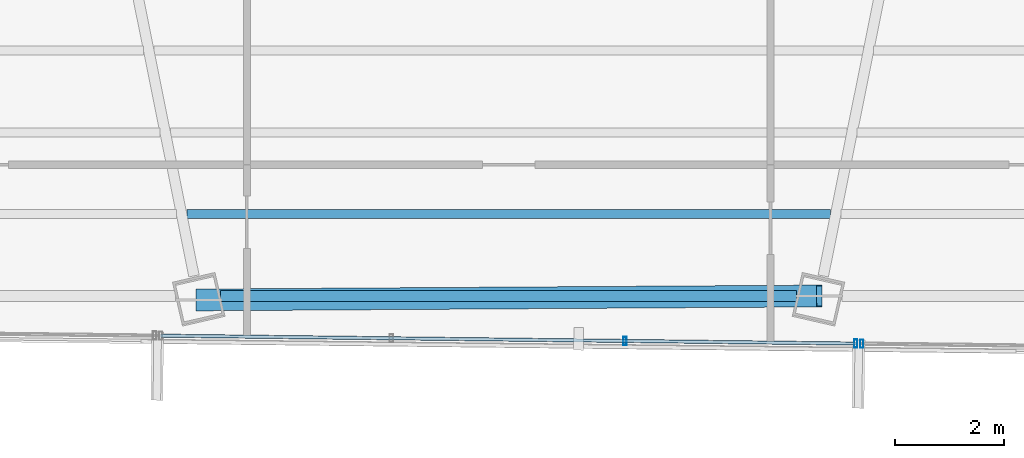
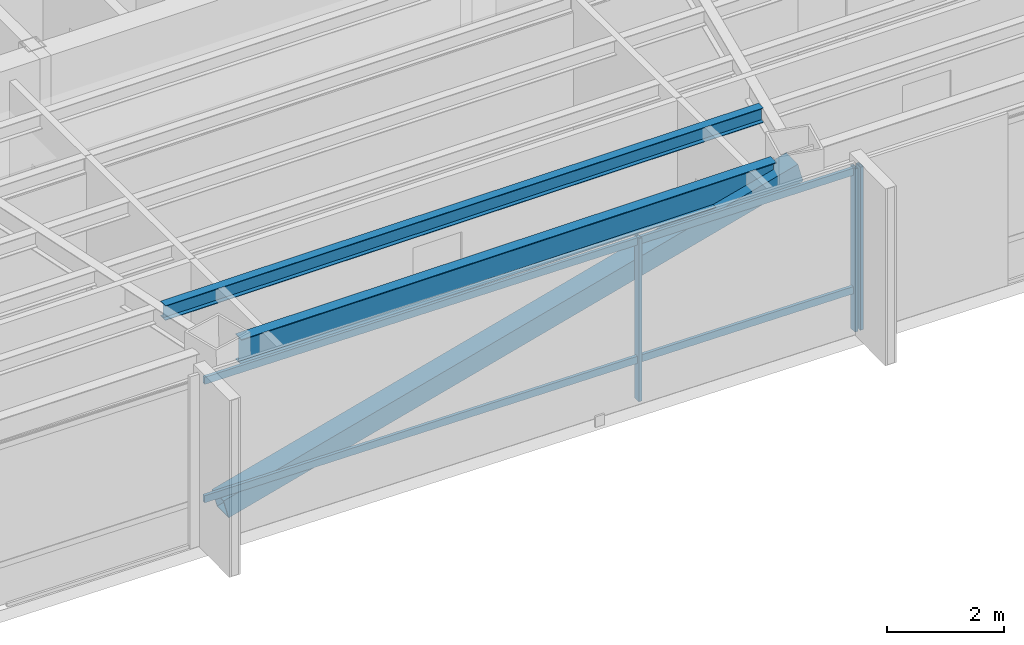
# One storey, part 10 of 42: 6 members, 2 beams, 2 elements without a shape of their own.
"""IFC4 building model written with IfcOpenShell, lengths in metres."""

from ifc_helpers import new_model, si_unit, direction, frame, origin, origin_2d, place, context, subcontext, project, spatial, hollow_rectangle, i_section, extrude, source, transform, mapped, material, material_profile, profile_set, type_object, type_shapes, element, aggregate, save


model = new_model("IFC4")

# Units and contexts
model_context = context("Model", 3, precision=1e-05, world=origin(), true_north=direction((0.0, 1.0)))
body_context = subcontext(model_context, "Body", "Model", "MODEL_VIEW")
ifc_project = project(units=[si_unit("LENGTHUNIT", "METRE"), si_unit("AREAUNIT", "SQUARE_METRE"), si_unit("VOLUMEUNIT", "CUBIC_METRE"), si_unit("PLANEANGLEUNIT", "RADIAN"), si_unit("MASSUNIT", "GRAM", prefix="KILO")], contexts=[model_context])

# Site, building, storey
site_placement = place(None, origin())
site = spatial("IfcSite", under=ifc_project, at=site_placement, CompositionType="ELEMENT")
building_placement = place(site_placement, origin())
building = spatial("IfcBuilding", under=site, at=building_placement, Name="Caelisora Broadcast Tower", CompositionType="ELEMENT")
storey_placement = place(building_placement, frame((0.0, 0.0, 205.949951171875)))
storey = spatial("IfcBuildingStorey", under=building, at=storey_placement, Name="L54", CompositionType="ELEMENT", Elevation=205.949951171875)

# Beams
ifc_material_1 = material(Name="Steel Grade 350 (AS/NZS 3679.1)", Category="steel")
ifc_material_profile_1 = material_profile(ifc_material_1, i_section(OverallWidth=0.208984375, OverallDepth=0.532958984375, WebThickness=0.01025390625, FlangeThickness=0.015625, at=origin_2d()), Name="Steel Grade 350 (AS/NZS 3679.1)")
ifc_profile_set_1 = profile_set([ifc_material_profile_1], Name="Steel Grade 350 (AS/NZS 3679.1)")
beam_type_1 = type_object("IfcBeamType", Name="PG05", PredefinedType="BEAM", material=ifc_profile_set_1)
shared_shape_1 = source(origin(), body_context, "Body", "SweptSolid", [
    extrude(i_section(OverallWidth=0.208984375, OverallDepth=0.532958984375, WebThickness=0.01025390625, FlangeThickness=0.015625, at=origin_2d()), origin(), (0.0, 0.0, 1.0), 10.55712890625),
])
type_shapes(beam_type_1, [shared_shape_1])
beam_1_placement = place(storey_placement, frame((32.721435546875, 8.40478515625, 3.133544921875), z_axis=(1.0, 0.0, 0.0), x_axis=(0.0, 1.0, 0.0)))
element("IfcBeam", 1, at=beam_1_placement, inside=storey, type_object=beam_type_1, Name="L54 beam PG05", PredefinedType="BEAM", context=body_context, shape_type="MappedRepresentation", body=[
    mapped(shared_shape_1, transform((0.0, 0.0, 0.0), scale=1.0)),
])
ifc_material_profile_2 = material_profile(ifc_material_1, i_section(OverallWidth=0.166015625, OverallDepth=0.30712890625, WebThickness=0.006591796875, FlangeThickness=0.01171875, at=origin_2d()), Name="Steel Grade 350 (AS/NZS 3679.1)")
ifc_profile_set_2 = profile_set([ifc_material_profile_2], Name="Steel Grade 350 (AS/NZS 3679.1)")
beam_type_2 = type_object("IfcBeamType", Name="SB03", PredefinedType="JOIST", material=ifc_profile_set_2)
shared_shape_2 = source(origin(), body_context, "Body", "SweptSolid", [
    extrude(i_section(OverallWidth=0.166015625, OverallDepth=0.30712890625, WebThickness=0.006591796875, FlangeThickness=0.01171875, at=origin_2d()), origin(), (0.0, 0.0, 1.0), 11.8017578125),
])
type_shapes(beam_type_2, [shared_shape_2])
beam_2_placement = place(storey_placement, frame((32.09912109375, 9.904052734375, 3.246337890625), z_axis=(1.0, 0.0, 0.0), x_axis=(0.0, 1.0, 0.0)))
element("IfcBeam", 2, at=beam_2_placement, inside=storey, type_object=beam_type_2, Name="L54 beam SB03", PredefinedType="JOIST", context=body_context, shape_type="MappedRepresentation", body=[
    mapped(shared_shape_2, transform((0.0, 0.0, 0.0), scale=1.0)),
])

# Member
ifc_material_2 = material(Name="Steel Grade 450 (AS/NZS 1163 C450L0)", Category="steel")
ifc_material_profile_3 = material_profile(ifc_material_2, hollow_rectangle(XDim=0.39990234375, YDim=0.39990234375, WallThickness=0.01611328125, at=origin_2d()), Name="Steel Grade 450 (AS/NZS 1163 C450L0)")
ifc_profile_set_3 = profile_set([ifc_material_profile_3], Name="Steel Grade 450 (AS/NZS 1163 C450L0)")
member_type_1 = type_object("IfcMemberType", Name="BR04", PredefinedType="BRACE", material=ifc_profile_set_3)
shared_shape_3 = source(origin(), body_context, "Body", "SweptSolid", [
    extrude(hollow_rectangle(XDim=0.39990234375, YDim=0.39990234375, WallThickness=0.01611328125, at=origin_2d()), origin(), (0.0, 0.0, 1.0), 11.76171875),
])
type_shapes(member_type_1, [shared_shape_3])
member_1_placement = place(storey_placement, frame((32.322021484375, 8.33251953125, 0.10009765625), z_axis=(0.966905006139, 0.006144087455, 0.255062657581), x_axis=(-0.006354257529, 0.999979811502, 0.0)))
element("IfcMember", 3, at=member_1_placement, inside=storey, type_object=member_type_1, Name="L54 perimeter brace BR04", PredefinedType="BRACE", context=body_context, shape_type="MappedRepresentation", body=[
    mapped(shared_shape_3, transform((0.0, 0.0, 0.0), scale=1.0)),
])

# Curtain wall, member
ifc_material_3 = material(Name="Unitised Aluminium and Low-E Glass Curtain Wall", Category="glass")
curtain_wall_type_1 = type_object("IfcCurtainWallType", Name="CW-Z4", PredefinedType="NOTDEFINED", material=ifc_material_3)
curtain_wall_1_placement = place(storey_placement, origin())
curtain_wall_1 = element("IfcCurtainWall", 4, at=curtain_wall_1_placement, inside=storey, type_object=curtain_wall_type_1, Name="L54 curtain wall CW-Z4", PredefinedType="NOTDEFINED")
ifc_material_4 = material(Name="Aluminium 6063-T6 Anodised Terracotta Bronze", Category="aluminium")
ifc_material_profile_4 = material_profile(ifc_material_4, hollow_rectangle(XDim=0.06005859375, YDim=0.14990234375, WallThickness=0.00341796875, at=origin_2d()), Name="Aluminium 6063-T6 Anodised Terracotta Bronze")
ifc_profile_set_4 = profile_set([ifc_material_profile_4], Name="Aluminium 6063-T6 Anodised Terracotta Bronze")
member_type_2 = type_object("IfcMemberType", Name="CWM-03", PredefinedType="MULLION", material=ifc_profile_set_4)
shared_shape_4 = source(origin(), body_context, "Body", "SweptSolid", [
    extrude(hollow_rectangle(XDim=0.06005859375, YDim=0.14990234375, WallThickness=0.00341796875, at=origin_2d()), origin(), (0.0, 0.0, 1.0), 3.400146484375),
])
type_shapes(member_type_2, [shared_shape_4])
member_2_placement = place(storey_placement, frame((44.47412109375, 7.531494140625, 0.0), z_axis=(0.0, 0.0, 1.0), x_axis=(1.0, 0.0, 0.0)))
member_2 = element("IfcMember", 5, at=member_2_placement, type_object=member_type_2, Name="L54-CW-B05 mullion #3", PredefinedType="MULLION", context=body_context, shape_type="MappedRepresentation", body=[
    mapped(shared_shape_4, transform((0.0, 0.0, 0.0), scale=1.0)),
])
aggregate(curtain_wall_1, [member_2])

# Curtain wall, members
ifc_material_5 = material(Name="Unitised Aluminium Insulated Shadow-Box Spandrel Curtain Wall", Category="aluminium")
curtain_wall_type_2 = type_object("IfcCurtainWallType", Name="CW-SP2", PredefinedType="NOTDEFINED", material=ifc_material_5)
curtain_wall_2_placement = place(storey_placement, origin())
curtain_wall_2 = element("IfcCurtainWall", 6, at=curtain_wall_2_placement, inside=storey, type_object=curtain_wall_type_2, Name="L54 curtain wall CW-SP2", PredefinedType="NOTDEFINED")
member_3_placement = place(storey_placement, frame((44.364013671875, 7.53271484375, 0.0), z_axis=(0.0, 0.0, 1.0), x_axis=(1.0, 0.0, 0.0)))
member_3 = element("IfcMember", 7, at=member_3_placement, type_object=member_type_2, Name="L54-CW-B06 mullion #0", PredefinedType="MULLION", context=body_context, shape_type="MappedRepresentation", body=[
    mapped(shared_shape_4, transform((0.0, 0.0, 0.0), scale=1.0)),
])
member_4_placement = place(storey_placement, frame((40.132568359375, 7.580810546875, 0.0), z_axis=(0.0, 0.0, 1.0), x_axis=(1.0, 0.0, 0.0)))
member_4 = element("IfcMember", 8, at=member_4_placement, type_object=member_type_2, Name="L54-CW-B06 mullion #1", PredefinedType="MULLION", context=body_context, shape_type="MappedRepresentation", body=[
    mapped(shared_shape_4, transform((0.0, 0.0, 0.0), scale=1.0)),
])
ifc_material_profile_5 = material_profile(ifc_material_4, hollow_rectangle(XDim=0.06005859375, YDim=0.14990234375, WallThickness=0.00341796875, at=origin_2d()), Name="Aluminium 6063-T6 Anodised Terracotta Bronze")
ifc_profile_set_5 = profile_set([ifc_material_profile_5], Name="Aluminium 6063-T6 Anodised Terracotta Bronze")
member_type_3 = type_object("IfcMemberType", Name="CWT-02", PredefinedType="USERDEFINED", material=ifc_profile_set_5)
shared_shape_5 = source(origin(), body_context, "Body", "SweptSolid", [
    extrude(hollow_rectangle(XDim=0.06005859375, YDim=0.14990234375, WallThickness=0.00341796875, at=origin_2d()), origin(), (0.0, 0.0, 1.0), 12.745361328125),
])
type_shapes(member_type_3, [shared_shape_5])
member_5_placement = place(storey_placement, frame((44.364013671875, 7.53271484375, 0.85009765625), z_axis=(-0.999935266895, 0.011378137783, 0.0), x_axis=(-0.011378137783, -0.999935266895, 0.0)))
member_5 = element("IfcMember", 9, at=member_5_placement, type_object=member_type_3, Name="L54-CW-B06 transom #1", ObjectType="TRANSOM", PredefinedType="USERDEFINED", context=body_context, shape_type="MappedRepresentation", body=[
    mapped(shared_shape_5, transform((0.0, 0.0, 0.0), scale=1.0)),
])
member_6_placement = place(storey_placement, frame((44.364013671875, 7.53271484375, 3.320068359375), z_axis=(-0.999935266895, 0.011378137783, 0.0), x_axis=(-0.011378137783, -0.999935266895, 0.0)))
member_6 = element("IfcMember", 10, at=member_6_placement, type_object=member_type_3, Name="L54-CW-B06 transom #2", ObjectType="TRANSOM", PredefinedType="USERDEFINED", context=body_context, shape_type="MappedRepresentation", body=[
    mapped(shared_shape_5, transform((0.0, 0.0, 0.0), scale=1.0)),
])
aggregate(curtain_wall_2, [member_3, member_4, member_5, member_6])

save(model, "model.ifc")
